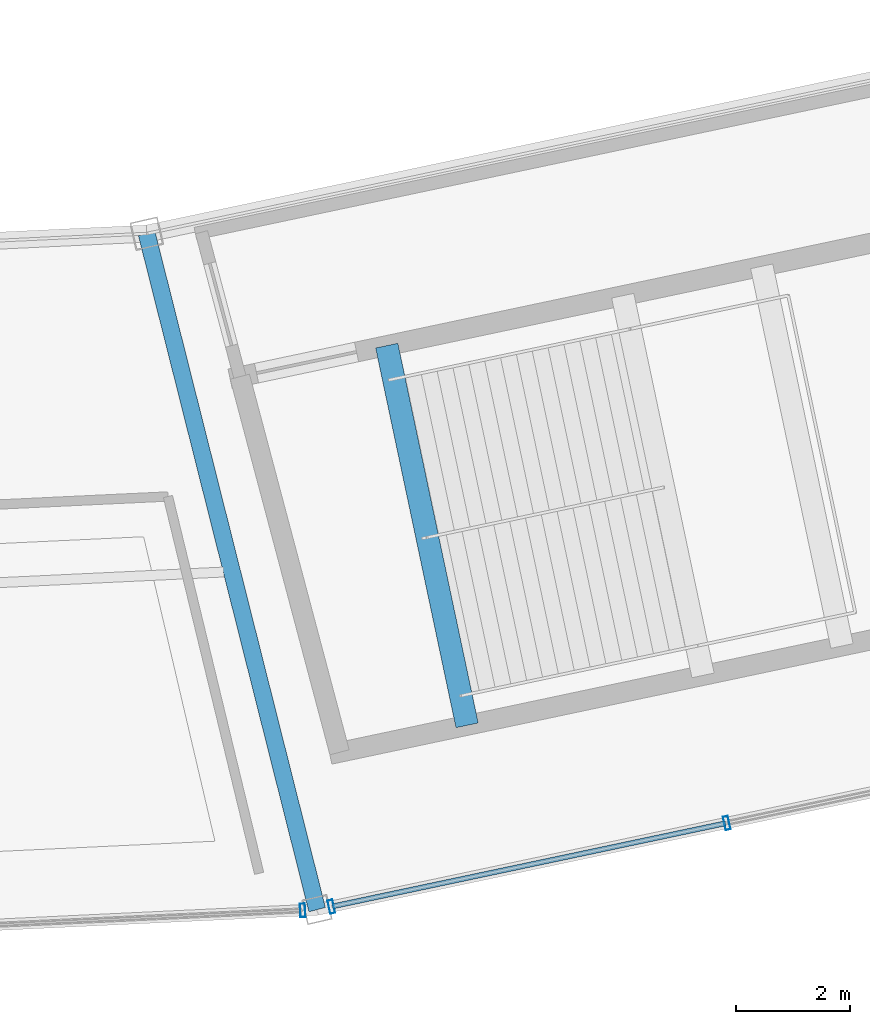
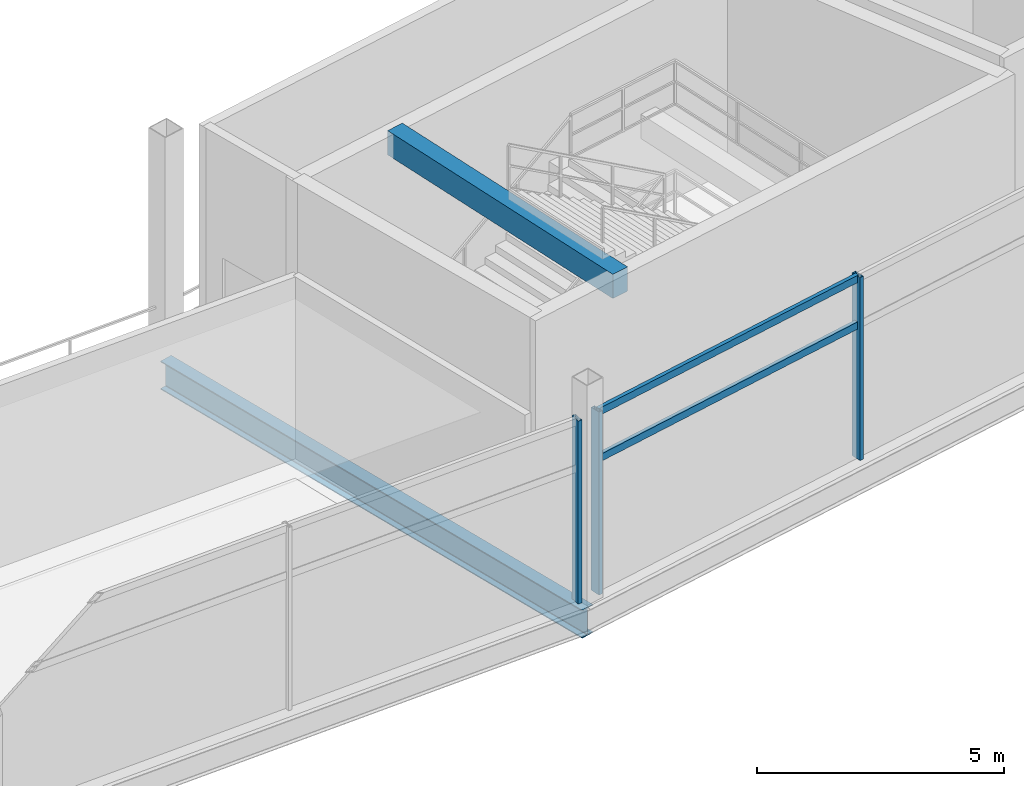
# One storey, part 32 of 103: 5 members, 2 beams, 2 elements without a shape of their own.
"""IFC4 building model written with IfcOpenShell, lengths in metres."""

from ifc_helpers import new_model, si_unit, direction, frame, origin, origin_2d, place, context, subcontext, project, spatial, rectangle, hollow_rectangle, i_section, extrude, material, layer, layer_set, material_profile, profile_set, type_object, element, aggregate, save


model = new_model("IFC4")

# Units and contexts
model_context = context("Model", 3, precision=1e-05, world=origin(), true_north=direction((0.0, 1.0)))
body_context = subcontext(model_context, "Body", "Model", "MODEL_VIEW")
ifc_project = project(units=[si_unit("LENGTHUNIT", "METRE"), si_unit("AREAUNIT", "SQUARE_METRE"), si_unit("VOLUMEUNIT", "CUBIC_METRE"), si_unit("PLANEANGLEUNIT", "RADIAN"), si_unit("MASSUNIT", "GRAM", prefix="KILO")], contexts=[model_context])

# Site, building, storey
site_placement = place(None, origin())
site = spatial("IfcSite", under=ifc_project, at=site_placement, CompositionType="ELEMENT")
building_placement = place(site_placement, origin())
building = spatial("IfcBuilding", under=site, at=building_placement, Name="Kazemori Nagisa Stadium", CompositionType="ELEMENT")
storey_placement = place(building_placement, frame((0.0, 0.0, 25.840087890625)))
storey = spatial("IfcBuildingStorey", under=building, at=storey_placement, Name="L05", CompositionType="ELEMENT", Elevation=25.840087890625)

# Beams
ifc_material_1 = material(Name="Steel SN490B", Category="steel")
ifc_material_profile_1 = material_profile(ifc_material_1, i_section(OverallWidth=0.300048828125, OverallDepth=0.699951171875, WebThickness=0.012939453125, FlangeThickness=0.02392578125, FilletRadius=0.01806640625, at=origin_2d()), Name="H-700x300x13x24")
ifc_profile_set_1 = profile_set([ifc_material_profile_1], Name="Steel SN490B")
beam_type_1 = type_object("IfcBeamType", Name="Beam_BG-H700", PredefinedType="BEAM", material=ifc_profile_set_1)
beam_1_placement = place(storey_placement, frame((141.427734375, 28.911376953125, -0.610107421875), z_axis=(0.244487324834, -0.969652488263, 0.0), x_axis=(0.969652488263, 0.244487324834, 0.0)))
element("IfcBeam", 1, at=beam_1_placement, inside=storey, type_object=beam_type_1, Name="Radial girder BG-H700 L05 R2-R3-23", PredefinedType="BEAM", context=body_context, shape_type="SweptSolid", body=[
    extrude(i_section(OverallWidth=0.300048828125, OverallDepth=0.699951171875, WebThickness=0.012939453125, FlangeThickness=0.02392578125, FilletRadius=0.01806640625, at=origin_2d()), origin(), (0.0, 0.0, 1.0), 12.2705078125),
])
ifc_material_2 = material(Name="Concrete C40/50 (Fc42)", Category="concrete")
ifc_material_profile_2 = material_profile(ifc_material_2, rectangle(XDim=0.39990234375, YDim=0.60009765625, at=origin_2d()), Name="RC-BM-400x600")
ifc_profile_set_2 = profile_set([ifc_material_profile_2], Name="Concrete C40/50 (Fc42)")
beam_type_2 = type_object("IfcBeamType", Name="Beam_BG-LND400X600", PredefinedType="BEAM", material=ifc_profile_set_2)
beam_2_placement = place(storey_placement, frame((145.652587890625, 26.9404296875, 4.8798828125), z_axis=(0.206997403527, -0.978341491982, 0.0), x_axis=(0.978341491982, 0.206997403527, 0.0)))
element("IfcBeam", 2, at=beam_2_placement, inside=storey, type_object=beam_type_2, Name="Core stair arrival header girder ST06-L05", PredefinedType="BEAM", context=body_context, shape_type="SweptSolid", body=[
    extrude(rectangle(XDim=0.39990234375, YDim=0.60009765625, at=origin_2d()), origin(), (0.0, 0.0, 1.0), 6.831298828125),
])

# Curtain wall, member
ifc_material_3 = material(Name="Anodised aluminium 6063-T5", Category="aluminium")
ifc_layer_1 = layer(ifc_material_3, 0.239990234375, Name="Anodised aluminium 6063-T5", Category="aluminium")
ifc_layer_set_1 = layer_set([ifc_layer_1], Name="Anodised aluminium 6063-T5")
curtain_wall_type_1 = type_object("IfcCurtainWallType", Name="CW_L05R3_105", PredefinedType="USERDEFINED", material=ifc_layer_set_1)
curtain_wall_1_placement = place(storey_placement, origin())
curtain_wall_1 = element("IfcCurtainWall", 3, at=curtain_wall_1_placement, inside=storey, type_object=curtain_wall_type_1, Name="Unitised curtain wall CW-L05R3-105 L05", ObjectType="UNITISED CURTAIN WALL", PredefinedType="USERDEFINED")
ifc_material_4 = material(Name="Aluminium 6063-T5 anodised", Category="aluminium")
ifc_material_profile_3 = material_profile(ifc_material_4, hollow_rectangle(XDim=0.090087890625, YDim=0.239990234375, WallThickness=0.0048828125, at=origin_2d()), Name="ALU-MULL-90x240x5")
ifc_profile_set_3 = profile_set([ifc_material_profile_3], Name="Aluminium 6063-T5 anodised")
member_type_1 = type_object("IfcMemberType", Name="Mullion_M03", PredefinedType="MULLION", material=ifc_profile_set_3)
member_1_placement = place(storey_placement, frame((144.1728515625, 17.001220703125, 0.0), z_axis=(0.0, 0.0, 1.0), x_axis=(0.998884022476, 0.047230388971, 0.0)))
member_1 = element("IfcMember", 4, at=member_1_placement, type_object=member_type_1, Name="Curtain wall mullion CW-L05R3-105-M4", PredefinedType="MULLION", context=body_context, shape_type="SweptSolid", body=[
    extrude(hollow_rectangle(XDim=0.090087890625, YDim=0.239990234375, WallThickness=0.0048828125, at=origin_2d()), origin(), (0.0, 0.0, 1.0), 4.530029296875),
])
aggregate(curtain_wall_1, [member_1])

# Curtain wall, members
ifc_layer_2 = layer(ifc_material_3, 0.239990234375, Name="Anodised aluminium 6063-T5", Category="aluminium")
ifc_layer_set_2 = layer_set([ifc_layer_2], Name="Anodised aluminium 6063-T5")
curtain_wall_type_2 = type_object("IfcCurtainWallType", Name="CW_L05R3_107", PredefinedType="USERDEFINED", material=ifc_layer_set_2)
curtain_wall_2_placement = place(storey_placement, origin())
curtain_wall_2 = element("IfcCurtainWall", 5, at=curtain_wall_2_placement, inside=storey, type_object=curtain_wall_type_2, Name="Unitised curtain wall CW-L05R3-107 L05", ObjectType="UNITISED CURTAIN WALL", PredefinedType="USERDEFINED")
member_2_placement = place(storey_placement, frame((144.67724609375, 17.06591796875, 0.0), z_axis=(0.0, 0.0, 1.0), x_axis=(0.978344955407, 0.206981033502, 0.0)))
member_2 = element("IfcMember", 6, at=member_2_placement, type_object=member_type_1, Name="Curtain wall mullion CW-L05R3-107-M1", PredefinedType="MULLION", context=body_context, shape_type="SweptSolid", body=[
    extrude(hollow_rectangle(XDim=0.090087890625, YDim=0.239990234375, WallThickness=0.0048828125, at=origin_2d()), origin(), (0.0, 0.0, 1.0), 4.530029296875),
])
member_3_placement = place(storey_placement, frame((151.636474609375, 18.538330078125, 0.0), z_axis=(0.0, 0.0, 1.0), x_axis=(0.978344955407, 0.206981033502, 0.0)))
member_3 = element("IfcMember", 7, at=member_3_placement, type_object=member_type_1, Name="Curtain wall mullion CW-L05R3-107-M2", PredefinedType="MULLION", context=body_context, shape_type="SweptSolid", body=[
    extrude(hollow_rectangle(XDim=0.090087890625, YDim=0.239990234375, WallThickness=0.0048828125, at=origin_2d()), origin(), (0.0, 0.0, 1.0), 4.530029296875),
])
ifc_material_profile_4 = material_profile(ifc_material_4, hollow_rectangle(XDim=0.090087890625, YDim=0.179931640625, WallThickness=0.0048828125, at=origin_2d()), Name="ALU-TRAN-90x180x5")
ifc_profile_set_4 = profile_set([ifc_material_profile_4], Name="Aluminium 6063-T5 anodised")
member_type_2 = type_object("IfcMemberType", Name="Transom_T03", PredefinedType="USERDEFINED", material=ifc_profile_set_4)
member_4_placement = place(storey_placement, frame((144.69677734375, 17.070068359375, 3.306884765625), z_axis=(0.97834311718, 0.206989722128, 0.0), x_axis=(-0.206989722128, 0.97834311718, 0.0)))
member_4 = element("IfcMember", 8, at=member_4_placement, type_object=member_type_2, Name="Curtain wall transom CW-L05R3-107-T1-mid", ObjectType="TRANSOM", PredefinedType="USERDEFINED", context=body_context, shape_type="SweptSolid", body=[
    extrude(hollow_rectangle(XDim=0.090087890625, YDim=0.179931640625, WallThickness=0.0048828125, at=origin_2d()), origin(), (0.0, 0.0, 1.0), 7.0732421875),
])
member_5_placement = place(storey_placement, frame((144.69677734375, 17.070068359375, 4.4599609375), z_axis=(0.97834311718, 0.206989722128, 0.0), x_axis=(-0.206989722128, 0.97834311718, 0.0)))
member_5 = element("IfcMember", 9, at=member_5_placement, type_object=member_type_2, Name="Curtain wall transom CW-L05R3-107-T1-head", ObjectType="TRANSOM", PredefinedType="USERDEFINED", context=body_context, shape_type="SweptSolid", body=[
    extrude(hollow_rectangle(XDim=0.090087890625, YDim=0.179931640625, WallThickness=0.0048828125, at=origin_2d()), origin(), (0.0, 0.0, 1.0), 7.0732421875),
])
aggregate(curtain_wall_2, [member_2, member_3, member_4, member_5])

save(model, "model.ifc")
